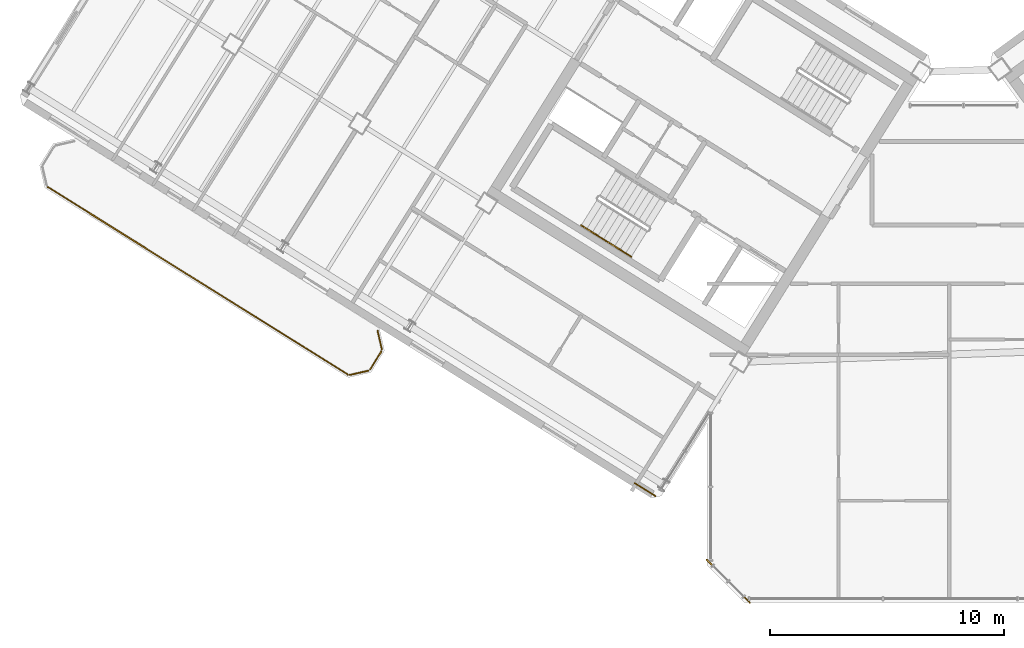
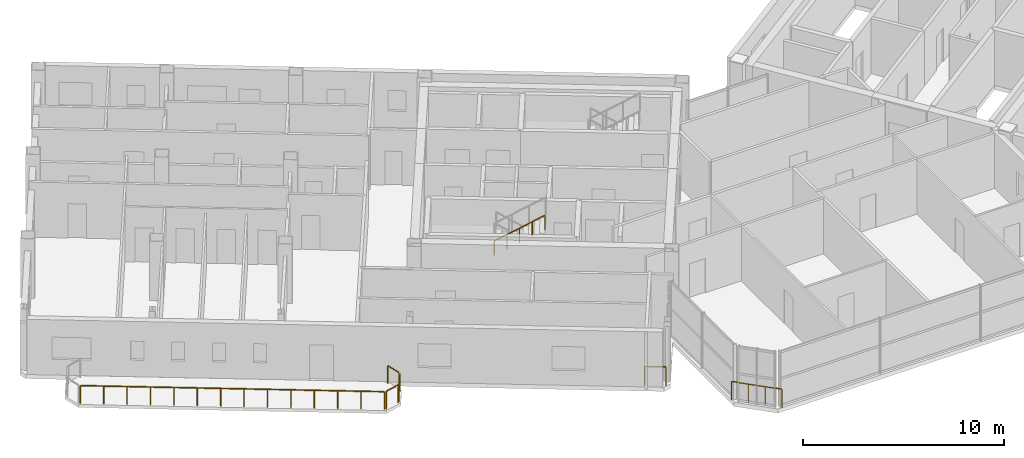
# One storey, part 22 of 25: 8 railings.
"""IFC4 building model written with IfcOpenShell, lengths in metres."""

from ifc_helpers import new_model, si_unit, direction, frame, origin, origin_2d, place, context, subcontext, project, spatial, rectangle, extrude, source, transform, mapped, material, type_object, element, save


model = new_model("IFC4")

# Units and contexts
model_context = context("Model", 3, precision=1e-05, world=origin(), true_north=direction((0.0, 1.0)))
body_context = subcontext(model_context, "Body", "Model", "MODEL_VIEW")
ifc_project = project(units=[si_unit("LENGTHUNIT", "METRE"), si_unit("AREAUNIT", "SQUARE_METRE"), si_unit("VOLUMEUNIT", "CUBIC_METRE"), si_unit("PLANEANGLEUNIT", "RADIAN"), si_unit("MASSUNIT", "GRAM", prefix="KILO")], contexts=[model_context])

# Site, building, storey
site_placement = place(None, origin())
site = spatial("IfcSite", under=ifc_project, at=site_placement, CompositionType="ELEMENT")
building_placement = place(site_placement, origin())
building = spatial("IfcBuilding", under=site, at=building_placement, Name="Tlacorven Tower", CompositionType="ELEMENT")
storey_placement = place(building_placement, frame((0.0, 0.0, 259.199951171875)))
storey = spatial("IfcBuildingStorey", under=building, at=storey_placement, Name="L65", CompositionType="ELEMENT", Elevation=259.199951171875)

# Railings
ifc_material = material(Name="Aluminium and painted steel balustrade", Category="steel")
railing_type_1 = type_object("IfcRailingType", Name="RL-BAL-1100", PredefinedType="BALUSTRADE", material=ifc_material)
shared_shape_1 = source(origin(), body_context, "Body", "SweptSolid", [
    extrude(rectangle(XDim=0.048095703125, YDim=0.048095703125, at=origin_2d()), frame((0.0, 0.0, 1.076171875), z_axis=(0.225058334816, -0.974345290916, 0.0), x_axis=(0.974345290916, 0.225058334816, 0.0)), (0.0, 0.0, 1.0), 0.80712890625),
    extrude(rectangle(XDim=0.0419921875, YDim=0.0419921875, at=origin_2d()), origin(), (0.0, 0.0, 1.0), 1.052001953125),
    extrude(rectangle(XDim=0.0419921875, YDim=0.0419921875, at=origin_2d()), frame((0.181640625, -0.786376953125, 0.0)), (0.0, 0.0, 1.0), 1.052001953125),
])
railing_1_placement = place(storey_placement, frame((17.5244140625, 13.413330078125, 0.0)))
element("IfcRailing", 1, at=railing_1_placement, inside=storey, type_object=railing_type_1, Name="BAL-L65-W-OUT Guard Railing 1", PredefinedType="BALUSTRADE", context=body_context, shape_type="MappedRepresentation", body=[
    mapped(shared_shape_1, transform((0.0, 0.0, 0.0), scale=1.0)),
])
shared_shape_2 = source(origin(), body_context, "Body", "SweptSolid", [
    extrude(rectangle(XDim=0.048095703125, YDim=0.048095703125, at=origin_2d()), frame((0.0, 0.0, 1.076171875), z_axis=(-0.52987865805, -0.848073468364, 0.0), x_axis=(0.848073468364, -0.52987865805, 0.0)), (0.0, 0.0, 1.0), 0.912353515625),
    extrude(rectangle(XDim=0.0419921875, YDim=0.0419921875, at=origin_2d()), origin(), (0.0, 0.0, 1.0), 1.052001953125),
    extrude(rectangle(XDim=0.0419921875, YDim=0.0419921875, at=origin_2d()), frame((-0.4833984375, -0.773681640625, 0.0)), (0.0, 0.0, 1.0), 1.052001953125),
])
railing_2_placement = place(storey_placement, frame((17.690673828125, 12.535888671875, 0.0)))
element("IfcRailing", 2, at=railing_2_placement, inside=storey, type_object=railing_type_1, Name="BAL-L65-W-OUT Guard Railing 2", PredefinedType="BALUSTRADE", context=body_context, shape_type="MappedRepresentation", body=[
    mapped(shared_shape_2, transform((0.0, 0.0, 0.0), scale=1.0)),
])
shared_shape_3 = source(origin(), body_context, "Body", "SweptSolid", [
    extrude(rectangle(XDim=0.048095703125, YDim=0.048095703125, at=origin_2d()), frame((0.0, 0.0, 1.076171875), z_axis=(-0.974411586182, -0.224771129628, 0.0), x_axis=(0.224771129628, -0.974411586182, 0.0)), (0.0, 0.0, 1.0), 0.80712890625),
    extrude(rectangle(XDim=0.0419921875, YDim=0.0419921875, at=origin_2d()), origin(), (0.0, 0.0, 1.0), 1.052001953125),
    extrude(rectangle(XDim=0.0419921875, YDim=0.0419921875, at=origin_2d()), frame((-0.786376953125, -0.181396484375, 0.0)), (0.0, 0.0, 1.0), 1.052001953125),
])
railing_3_placement = place(storey_placement, frame((17.132080078125, 11.70849609375, 0.0)))
element("IfcRailing", 3, at=railing_3_placement, inside=storey, type_object=railing_type_1, Name="BAL-L65-W-OUT Guard Railing 3", PredefinedType="BALUSTRADE", context=body_context, shape_type="MappedRepresentation", body=[
    mapped(shared_shape_3, transform((0.0, 0.0, 0.0), scale=1.0)),
])
shared_shape_4 = source(origin(), body_context, "Body", "SweptSolid", [
    extrude(rectangle(XDim=0.048095703125, YDim=0.048095703125, at=origin_2d()), frame((0.0, 0.0, 1.076171875), z_axis=(-0.848044572804, 0.529924902733, 0.0), x_axis=(-0.529924902733, -0.848044572804, 0.0)), (0.0, 0.0, 1.0), 15.1171875),
    extrude(rectangle(XDim=0.0419921875, YDim=0.0419921875, at=origin_2d()), origin(), (0.0, 0.0, 1.0), 1.052001953125),
    extrude(rectangle(XDim=0.0419921875, YDim=0.0419921875, at=origin_2d()), frame((-0.986083984375, 0.6162109375, 0.0)), (0.0, 0.0, 1.0), 1.052001953125),
    extrude(rectangle(XDim=0.0419921875, YDim=0.0419921875, at=origin_2d()), frame((-1.972412109375, 1.232421875, 0.0)), (0.0, 0.0, 1.0), 1.052001953125),
    extrude(rectangle(XDim=0.0419921875, YDim=0.0419921875, at=origin_2d()), frame((-2.95849609375, 1.8486328125, 0.0)), (0.0, 0.0, 1.0), 1.052001953125),
    extrude(rectangle(XDim=0.0419921875, YDim=0.0419921875, at=origin_2d()), frame((-3.944580078125, 2.46484375, 0.0)), (0.0, 0.0, 1.0), 1.052001953125),
    extrude(rectangle(XDim=0.0419921875, YDim=0.0419921875, at=origin_2d()), frame((-4.930908203125, 3.0810546875, 0.0)), (0.0, 0.0, 1.0), 1.052001953125),
    extrude(rectangle(XDim=0.0419921875, YDim=0.0419921875, at=origin_2d()), frame((-5.9169921875, 3.697265625, 0.0)), (0.0, 0.0, 1.0), 1.052001953125),
    extrude(rectangle(XDim=0.0419921875, YDim=0.0419921875, at=origin_2d()), frame((-6.903076171875, 4.313720703125, 0.0)), (0.0, 0.0, 1.0), 1.052001953125),
    extrude(rectangle(XDim=0.0419921875, YDim=0.0419921875, at=origin_2d()), frame((-7.88916015625, 4.929931640625, 0.0)), (0.0, 0.0, 1.0), 1.052001953125),
    extrude(rectangle(XDim=0.0419921875, YDim=0.0419921875, at=origin_2d()), frame((-8.87548828125, 5.546142578125, 0.0)), (0.0, 0.0, 1.0), 1.052001953125),
    extrude(rectangle(XDim=0.0419921875, YDim=0.0419921875, at=origin_2d()), frame((-9.861572265625, 6.162353515625, 0.0)), (0.0, 0.0, 1.0), 1.052001953125),
    extrude(rectangle(XDim=0.0419921875, YDim=0.0419921875, at=origin_2d()), frame((-10.84765625, 6.778564453125, 0.0)), (0.0, 0.0, 1.0), 1.052001953125),
    extrude(rectangle(XDim=0.0419921875, YDim=0.0419921875, at=origin_2d()), frame((-11.833984375, 7.394775390625, 0.0)), (0.0, 0.0, 1.0), 1.052001953125),
    extrude(rectangle(XDim=0.0419921875, YDim=0.0419921875, at=origin_2d()), frame((-12.820068359375, 8.010986328125, 0.0)), (0.0, 0.0, 1.0), 1.052001953125),
])
railing_4_placement = place(storey_placement, frame((16.254638671875, 11.542236328125, 0.0)))
element("IfcRailing", 4, at=railing_4_placement, inside=storey, type_object=railing_type_1, Name="BAL-L65-W-OUT Guard Railing 4", PredefinedType="BALUSTRADE", context=body_context, shape_type="MappedRepresentation", body=[
    mapped(shared_shape_4, transform((0.0, 0.0, 0.0), scale=1.0)),
])
railing_type_2 = type_object("IfcRailingType", Name="RL-GRD-1150", PredefinedType="GUARDRAIL", material=ifc_material)
shared_shape_5 = source(origin(), body_context, "Body", "SweptSolid", [
    extrude(rectangle(XDim=0.048095703125, YDim=0.048095703125, at=origin_2d()), frame((0.0, 0.0, 1.1259765625), z_axis=(-0.707106781187, 0.707106781187, 0.0), x_axis=(-0.707106781187, -0.707106781187, 0.0)), (0.0, 0.0, 1.0), 2.590087890625),
    extrude(rectangle(XDim=0.0419921875, YDim=0.0419921875, at=origin_2d()), origin(), (0.0, 0.0, 1.0), 1.101806640625),
    extrude(rectangle(XDim=0.0419921875, YDim=0.0419921875, at=origin_2d()), frame((-0.610595703125, 0.610595703125, 0.0)), (0.0, 0.0, 1.0), 1.101806640625),
    extrude(rectangle(XDim=0.0419921875, YDim=0.0419921875, at=origin_2d()), frame((-1.220947265625, 1.220947265625, 0.0)), (0.0, 0.0, 1.0), 1.101806640625),
    extrude(rectangle(XDim=0.0419921875, YDim=0.0419921875, at=origin_2d()), frame((-1.83154296875, 1.83154296875, 0.0)), (0.0, 0.0, 1.0), 1.101806640625),
])
railing_5_placement = place(storey_placement, frame((33.428955078125, 1.79736328125, 0.0)))
element("IfcRailing", 5, at=railing_5_placement, inside=storey, type_object=railing_type_2, Name="L65 Knuckle Glazed Sill Guard 1", PredefinedType="GUARDRAIL", context=body_context, shape_type="MappedRepresentation", body=[
    mapped(shared_shape_5, transform((0.0, 0.0, 0.0), scale=1.0)),
])
shared_shape_6 = source(origin(), body_context, "Body", "SweptSolid", [
    extrude(rectangle(XDim=0.048095703125, YDim=0.048095703125, at=origin_2d()), frame((0.0, 0.0, 1.1259765625), z_axis=(-0.848102774857, 0.529831749973, 0.0), x_axis=(-0.529831749973, -0.848102774857, 0.0)), (0.0, 0.0, 1.0), 1.050048828125),
    extrude(rectangle(XDim=0.0419921875, YDim=0.0419921875, at=origin_2d()), origin(), (0.0, 0.0, 1.0), 1.101806640625),
    extrude(rectangle(XDim=0.0419921875, YDim=0.0419921875, at=origin_2d()), frame((-0.890625, 0.556396484375, 0.0)), (0.0, 0.0, 1.0), 1.101806640625),
])
railing_6_placement = place(storey_placement, frame((29.39501953125, 6.35009765625, 0.0)))
element("IfcRailing", 6, at=railing_6_placement, inside=storey, type_object=railing_type_2, Name="L65 Knuckle Glazed Sill Guard 2", PredefinedType="GUARDRAIL", context=body_context, shape_type="MappedRepresentation", body=[
    mapped(shared_shape_6, transform((0.0, 0.0, 0.0), scale=1.0)),
])
railing_type_3 = type_object("IfcRailingType", Name="RL-HND-0900", PredefinedType="HANDRAIL", material=ifc_material)
shared_shape_7 = source(origin(), body_context, "Body", "SweptSolid", [
    extrude(rectangle(XDim=0.048095703125, YDim=0.048095703125, at=origin_2d()), frame((0.0, 0.0, 0.8759765625), z_axis=(0.713359751793, -0.4457479829, 0.540764828981), x_axis=(0.529911857636, 0.848052724267, 0.0)), (0.0, 0.0, 1.0), 1.498046875),
    extrude(rectangle(XDim=0.0419921875, YDim=0.0419921875, at=origin_2d()), origin(), (0.0, 0.0, 1.0), 0.851806640625),
    extrude(rectangle(XDim=0.0419921875, YDim=0.0419921875, at=origin_2d()), frame((0.5341796875, -0.333984375, 0.405029296875)), (0.0, 0.0, 1.0), 0.851806640625),
    extrude(rectangle(XDim=0.0419921875, YDim=0.0419921875, at=origin_2d()), frame((1.068603515625, -0.667724609375, 0.81005859375)), (0.0, 0.0, 1.0), 0.851806640625),
])
railing_7_placement = place(storey_placement, frame((26.228759765625, 17.915283203125, 1.97998046875)))
element("IfcRailing", 7, at=railing_7_placement, inside=storey, type_object=railing_type_3, Name="L65 ST-W1 stair handrail 3", PredefinedType="HANDRAIL", context=body_context, shape_type="MappedRepresentation", body=[
    mapped(shared_shape_7, transform((0.0, 0.0, 0.0), scale=1.0)),
])
shared_shape_8 = source(origin(), body_context, "Body", "SweptSolid", [
    extrude(rectangle(XDim=0.048095703125, YDim=0.048095703125, at=origin_2d()), frame((0.0, 0.0, 0.8759765625), z_axis=(0.713279695859, -0.445799809912, 0.540827703579), x_axis=(0.529998940003, 0.847998304005, 0.0)), (0.0, 0.0, 1.0), 1.497802734375),
    extrude(rectangle(XDim=0.0419921875, YDim=0.0419921875, at=origin_2d()), origin(), (0.0, 0.0, 1.0), 0.851806640625),
    extrude(rectangle(XDim=0.0419921875, YDim=0.0419921875, at=origin_2d()), frame((0.5341796875, -0.333984375, 0.405029296875)), (0.0, 0.0, 1.0), 0.851806640625),
    extrude(rectangle(XDim=0.0419921875, YDim=0.0419921875, at=origin_2d()), frame((1.068359375, -0.667724609375, 0.81005859375)), (0.0, 0.0, 1.0), 0.851806640625),
])
railing_8_placement = place(storey_placement, frame((27.29736328125, 17.24755859375, 2.7900390625)))
element("IfcRailing", 8, at=railing_8_placement, inside=storey, type_object=railing_type_3, Name="L65 ST-W1 stair handrail 4", PredefinedType="HANDRAIL", context=body_context, shape_type="MappedRepresentation", body=[
    mapped(shared_shape_8, transform((0.0, 0.0, 0.0), scale=1.0)),
])

save(model, "model.ifc")
